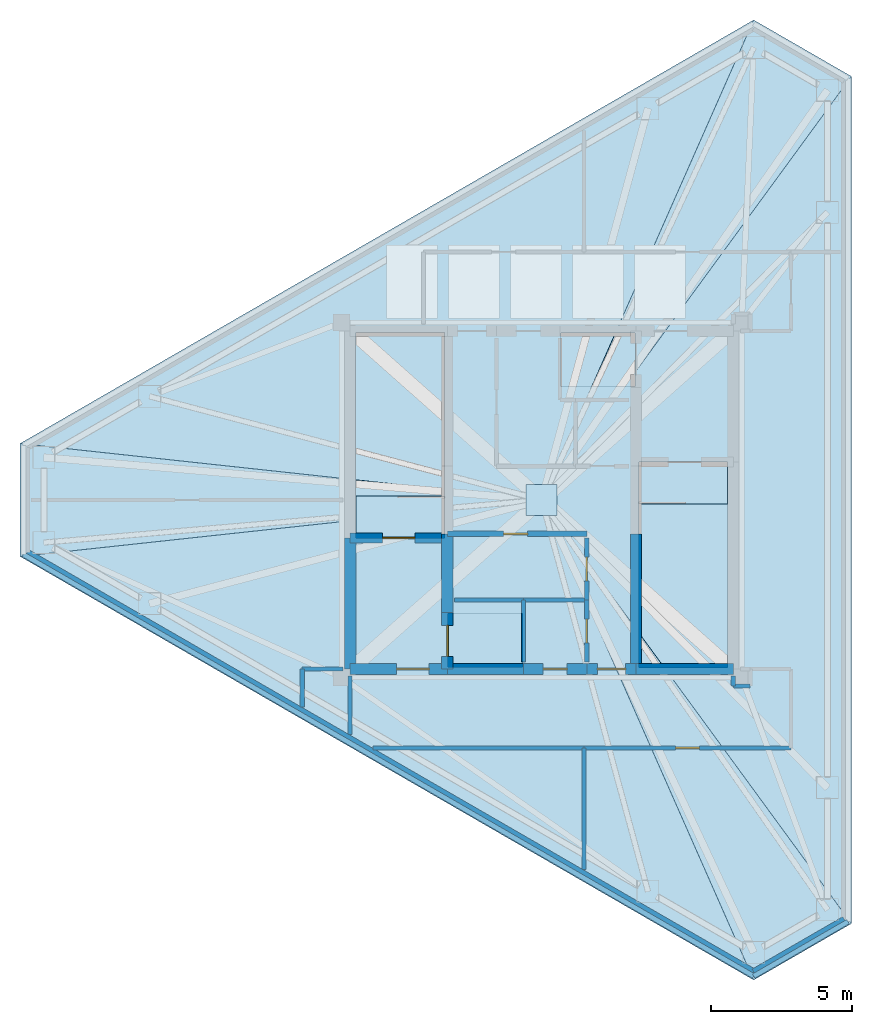
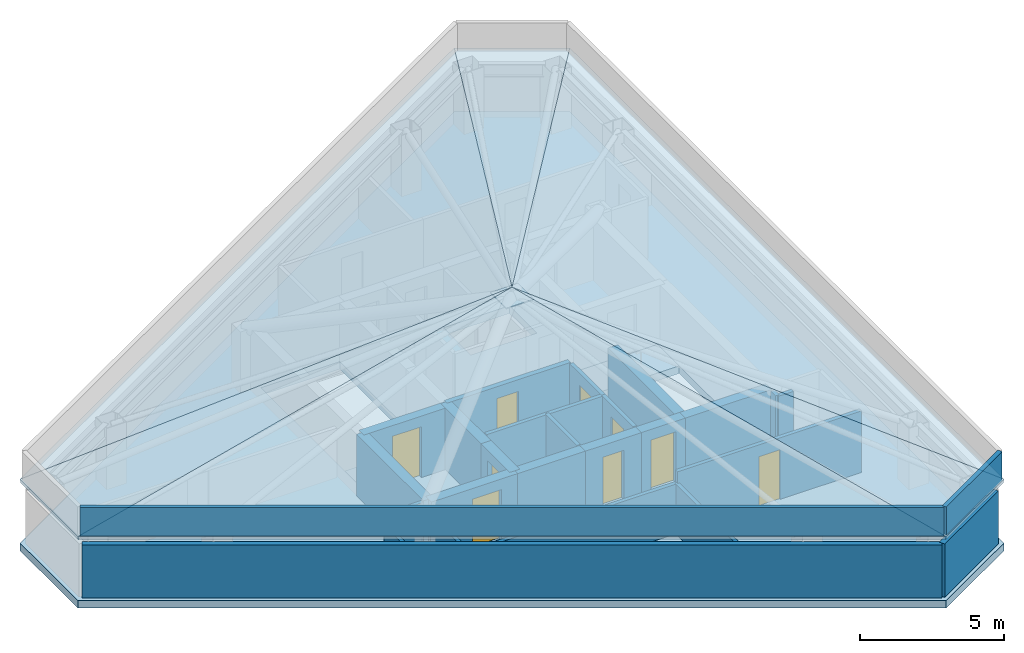
# One storey, part 2 of 5: 28 walls, 9 doors, 9 slabs, 1 plate, 9 openings.
"""IFC4 building model written with IfcOpenShell, lengths in metres."""

from ifc_helpers import new_model, si_unit, direction, frame, frame_2d, origin, origin_2d, place, context, subcontext, project, spatial, polyline, rectangle, outline, extrude, material, layer, layer_set, type_object, element, fill, save


model = new_model("IFC4")

# Units and contexts
model_context = context("Model", 3, precision=1e-05, world=origin(), true_north=direction((0.0, 1.0)))
body_context = subcontext(model_context, "Body", "Model", "MODEL_VIEW")
ifc_project = project(units=[si_unit("LENGTHUNIT", "METRE"), si_unit("AREAUNIT", "SQUARE_METRE"), si_unit("VOLUMEUNIT", "CUBIC_METRE"), si_unit("PLANEANGLEUNIT", "RADIAN"), si_unit("MASSUNIT", "GRAM", prefix="KILO")], contexts=[model_context])

# Site, building, storey
site_placement = place(None, origin())
site = spatial("IfcSite", under=ifc_project, at=site_placement, CompositionType="ELEMENT")
building_placement = place(site_placement, origin())
building = spatial("IfcBuilding", under=site, at=building_placement, Name="Mersakhor Tower and Convention Hall", CompositionType="ELEMENT")
storey_placement = place(building_placement, frame((0.0, 0.0, 264.0)))
storey = spatial("IfcBuildingStorey", under=building, at=storey_placement, Name="L73", CompositionType="ELEMENT", Elevation=264.0)

# Plate
ifc_material_1 = material(Name="Steel S460", Category="steel")
ifc_layer_1 = layer(ifc_material_1, 0.0400390625)
ifc_layer_set_1 = layer_set([ifc_layer_1], Name="Steel S460")
plate_type = type_object("IfcPlateType", Name="PL-GUSSET-40", PredefinedType="SHEET", material=ifc_layer_set_1)
plate_placement = place(storey_placement, frame((29.0, 26.75, 5.14990234375), z_axis=(0.0, 0.0, 1.0), x_axis=(1.0, 0.0, 0.0)))
element("IfcPlate", 1, at=plate_placement, inside=storey, type_object=plate_type, Name="Crown Apex Ring Cap Plate ND-APX", PredefinedType="SHEET", context=body_context, shape_type="SweptSolid", body=[
    extrude(rectangle(XDim=1.10009765625, YDim=1.10009765625, at=origin_2d()), origin(), (0.0, 0.0, 1.0), 0.0400390625),
])

# Slabs
ifc_material_2 = material(Name="Dark solar laminated glass on steel deck S355", Category="steel")
ifc_layer_2 = layer(ifc_material_2, 0.159912109375)
ifc_layer_set_2 = layer_set([ifc_layer_2], Name="Dark solar laminated glass on steel deck S355")
slab_type_1 = type_object("IfcSlabType", Name="SL-CRWN-160", PredefinedType="ROOF", material=ifc_layer_set_2)
slab_1_placement = place(storey_placement, frame((10.48193359375, 28.751953125, 2.699951171875), z_axis=(-0.125486106922, 0.217347202113, 0.967994540637), x_axis=(0.982768185281, -0.10624520922, 0.151256899077)))
element("IfcSlab", 2, at=slab_1_placement, inside=storey, type_object=slab_type_1, Name="Closed Glass-Point Crown Roof Facet RF-1", PredefinedType="ROOF", context=body_context, shape_type="SweptSolid", body=[
    extrude(outline(polyline([(0.0, 0.0), (18.84276137913825, 2.220446049250313e-16), (23.99692399487786, 18.124068704504808), (0.0, 0.0)])), origin(), (0.0, 0.0, -1.0), 0.159912109375),
])
slab_2_placement = place(storey_placement, frame((36.525146484375, 43.7880859375, 2.699951171875), z_axis=(0.076054216411, 0.131740742672, 0.988362348983), x_axis=(-0.399366724571, -0.904227524068, 0.151257409812)))
element("IfcSlab", 3, at=slab_2_placement, inside=storey, type_object=slab_type_1, Name="Closed Glass-Point Crown Roof Facet RF-2", PredefinedType="ROOF", context=body_context, shape_type="SweptSolid", body=[
    extrude(outline(polyline([(0.0, 0.0), (18.842697754703238, 3.7470027081099033e-16), (0.42530779823097364, 3.981505017614791), (0.0, 0.0)])), origin(), (0.0, 0.0, -1.0), 0.159912109375),
])
slab_3_placement = place(storey_placement, frame((39.992919921875, 41.7861328125, 2.699951171875), z_axis=(0.250968873481, 0.0, 0.967995157293), x_axis=(-0.583400362051, -0.797975914407, 0.15125626461)))
element("IfcSlab", 4, at=slab_3_placement, inside=storey, type_object=slab_type_1, Name="Closed Glass-Point Crown Roof Facet RF-3", PredefinedType="ROOF", context=body_context, shape_type="SweptSolid", body=[
    extrude(outline(polyline([(0.0, 0.0), (18.842840417889686, 5.551115123125783e-16), (23.996943660414413, 18.12423390876021), (0.0, 0.0)])), origin(), (0.0, 0.0, -1.0), 0.159912109375),
])
slab_4_placement = place(storey_placement, frame((39.992919921875, 11.7138671875, 2.699951171875), z_axis=(0.076054216411, -0.131740742672, 0.988362348983), x_axis=(-0.583400362051, 0.797975914407, 0.15125626461)))
element("IfcSlab", 5, at=slab_4_placement, inside=storey, type_object=slab_type_1, Name="Closed Glass-Point Crown Roof Facet RF-4", PredefinedType="ROOF", context=body_context, shape_type="SweptSolid", body=[
    extrude(outline(polyline([(0.0, 0.0), (18.842840417889686, 9.08995101411847e-16), (0.4255899034271722, 3.9814748727863005), (0.0, 0.0)])), origin(), (0.0, 0.0, -1.0), 0.159912109375),
])
slab_5_placement = place(storey_placement, frame((36.525146484375, 9.7119140625, 2.699951171875), z_axis=(-0.125486106922, -0.217347202113, 0.967994540637), x_axis=(-0.399366724571, 0.904227524068, 0.151257409812)))
element("IfcSlab", 6, at=slab_5_placement, inside=storey, type_object=slab_type_1, Name="Closed Glass-Point Crown Roof Facet RF-5", PredefinedType="ROOF", context=body_context, shape_type="SweptSolid", body=[
    extrude(outline(polyline([(0.0, 0.0), (18.842697754703238, -1.1102230246251565e-15), (23.99687777403806, 18.124129902410026), (0.0, 0.0)])), origin(), (0.0, 0.0, -1.0), 0.159912109375),
])
slab_6_placement = place(storey_placement, frame((10.48193359375, 24.748046875, 2.699951171875), z_axis=(-0.152117892474, 0.0, 0.988362356016), x_axis=(0.982768185281, 0.10624520922, 0.151256899077)))
element("IfcSlab", 7, at=slab_6_placement, inside=storey, type_object=slab_type_1, Name="Closed Glass-Point Crown Roof Facet RF-6", PredefinedType="ROOF", context=body_context, shape_type="SweptSolid", body=[
    extrude(outline(polyline([(0.0, 0.0), (18.84276137913825, 2.7755575615628914e-17), (0.42539585722658657, 3.981243979391808), (0.0, 0.0)])), origin(), (0.0, 0.0, -1.0), 0.159912109375),
])
ifc_material_3 = material(Name="Concrete C45/55", Category="concrete")
ifc_layer_3 = layer(ifc_material_3, 0.320068359375)
ifc_layer_set_3 = layer_set([ifc_layer_3], Name="Concrete C45/55")
slab_type_2 = type_object("IfcSlabType", Name="SL-FLR-320", PredefinedType="FLOOR", material=ifc_layer_set_3)
slab_7_placement = place(storey_placement, frame((0.0, 0.0, -0.320068359375)))
element("IfcSlab", 8, at=slab_7_placement, inside=storey, type_object=slab_type_2, Name="L73 ST-1 Structural Stair Floor Landing", PredefinedType="LANDING", context=body_context, shape_type="SweptSolid", body=[
    extrude(outline(polyline([(25.550048828125, 25.39990234375), (25.550048828125, 26.89990234375), (22.39990234375, 26.89990234375), (22.39990234375, 25.39990234375), (25.550048828125, 25.39990234375)])), origin(), (0.0, 0.0, 1.0), 0.320068359375),
])
slab_8_placement = place(storey_placement, frame((0.0, 0.0, -0.320068359375)))
element("IfcSlab", 9, at=slab_8_placement, inside=storey, type_object=slab_type_2, Name="L73 ST-2 Structural Stair Floor Landing", PredefinedType="LANDING", context=body_context, shape_type="SweptSolid", body=[
    extrude(outline(polyline([(32.449951171875, 28.10009765625), (32.449951171875, 26.60009765625), (35.60009765625, 26.60009765625), (35.60009765625, 28.10009765625), (32.449951171875, 28.10009765625)])), origin(), (0.0, 0.0, 1.0), 0.320068359375),
])
slab_9_placement = place(storey_placement, frame((0.0, 0.0, -0.320068359375)))
element("IfcSlab", 10, at=slab_9_placement, inside=storey, type_object=slab_type_2, Name="Tower L73 Structural Floor Slab", PredefinedType="FLOOR", context=body_context, shape_type="SweptSolid", body=[
    extrude(outline(polyline([(10.48193359375, 28.751953125), (36.525146484375, 43.7880859375), (39.992919921875, 41.7861328125), (39.992919921875, 11.7138671875), (36.525146484375, 9.7119140625), (10.48193359375, 24.748046875), (10.48193359375, 28.751953125)]), holes=[polyline([(25.550048828125, 25.39990234375), (25.550048828125, 32.699951171875), (22.39990234375, 32.699951171875), (22.39990234375, 25.39990234375), (25.550048828125, 25.39990234375)]), polyline([(32.449951171875, 28.10009765625), (32.449951171875, 20.800048828125), (35.60009765625, 20.800048828125), (35.60009765625, 28.10009765625), (32.449951171875, 28.10009765625)]), polyline([(25.679931640625, 20.820068359375), (25.679931640625, 22.719970703125), (28.320068359375, 22.719970703125), (28.320068359375, 20.820068359375), (25.679931640625, 20.820068359375)]), polyline([(29.679931640625, 30.780029296875), (29.679931640625, 32.679931640625), (32.320068359375, 32.679931640625), (32.320068359375, 30.780029296875), (29.679931640625, 30.780029296875)])]), origin(), (0.0, 0.0, 1.0), 0.320068359375),
])

# Walls
ifc_material_4 = material(Name="Precast concrete C40/50", Category="concrete")
ifc_layer_4 = layer(ifc_material_4, 0.22509765625)
ifc_layer_set_4 = layer_set([ifc_layer_4], Name="Precast concrete C40/50")
wall_type_1 = type_object("IfcWallType", Name="WL-EXT-225", PredefinedType="SOLIDWALL", material=ifc_layer_set_4)
wall_1_placement = place(storey_placement, frame((39.742919921875, 11.858154296875, 0.0), z_axis=(0.0, 0.0, 1.0), x_axis=(-0.866038962515, -0.499976514854, 0.0)))
element("IfcWall", 11, at=wall_1_placement, inside=storey, type_object=wall_type_1, Name="L73 Glass-Point Crown Eave Cladding Wall 4", PredefinedType="SOLIDWALL", context=body_context, shape_type="SweptSolid", body=[
    extrude(rectangle(XDim=3.715576171875, YDim=0.22509765625, at=frame_2d((1.85791015625, 0.0))), origin(), (0.0, 0.0, 1.0), 2.25),
])
wall_2_placement = place(storey_placement, frame((36.525146484375, 10.00048828125, 0.0), z_axis=(0.0, 0.0, 1.0), x_axis=(-0.866023553042, 0.500003205566, 0.0)))
element("IfcWall", 12, at=wall_2_placement, inside=storey, type_object=wall_type_1, Name="L73 Glass-Point Crown Eave Cladding Wall 5", PredefinedType="SOLIDWALL", context=body_context, shape_type="SweptSolid", body=[
    extrude(rectangle(XDim=29.783447265625, YDim=0.22509765625, at=frame_2d((14.8916015625, 0.0))), origin(), (0.0, 0.0, 1.0), 2.25),
])
ifc_material_5 = material(Name="Precast concrete C40/50", Category="concrete")
ifc_layer_5 = layer(ifc_material_5, 0.175048828125)
ifc_layer_set_5 = layer_set([ifc_layer_5], Name="Precast concrete C40/50")
wall_type_2 = type_object("IfcWallType", Name="WL-PAR-175", PredefinedType="PARAPET", material=ifc_layer_set_5)
wall_3_placement = place(storey_placement, frame((39.872802734375, 11.783203125, 2.699951171875), z_axis=(0.0, 0.0, 1.0), x_axis=(-0.866042548026, -0.499970304126, 0.0)))
element("IfcWall", 13, at=wall_3_placement, inside=storey, type_object=wall_type_2, Name="L73 Crown Eave Perimeter Parapet 4", PredefinedType="PARAPET", context=body_context, shape_type="SweptSolid", body=[
    extrude(rectangle(XDim=3.865478515625, YDim=0.175048828125, at=frame_2d((1.9326171875, 0.0))), origin(), (0.0, 0.0, 1.0), 1.199951171875),
])
wall_4_placement = place(storey_placement, frame((36.525146484375, 9.8505859375, 2.699951171875), z_axis=(0.0, 0.0, 1.0), x_axis=(-0.866024093284, 0.500002269847, 0.0)))
element("IfcWall", 14, at=wall_4_placement, inside=storey, type_object=wall_type_2, Name="L73 Crown Eave Perimeter Parapet 5", PredefinedType="PARAPET", context=body_context, shape_type="SweptSolid", body=[
    extrude(rectangle(XDim=29.933349609375, YDim=0.175048828125, at=frame_2d((14.966796875, 0.0))), origin(), (0.0, 0.0, 1.0), 1.199951171875),
])
ifc_material_6 = material(Name="Fire-rated gypsum board stud partition", Category="other")
ifc_layer_6 = layer(ifc_material_6, 0.14990234375)
ifc_layer_set_6 = layer_set([ifc_layer_6], Name="Fire-rated gypsum board stud partition")
wall_type_3 = type_object("IfcWallType", Name="WL-PRT-150", PredefinedType="PARTITIONING", material=ifc_layer_set_6)
wall_5_placement = place(storey_placement, frame((25.89990234375, 23.199951171875, 0.0), z_axis=(0.0, 0.0, 1.0), x_axis=(1.0, 0.0, 0.0)))
element("IfcWall", 15, at=wall_5_placement, inside=storey, type_object=wall_type_3, Name="L73 Interior Partition Wall P-001", PredefinedType="PARTITIONING", context=body_context, shape_type="SweptSolid", body=[
    extrude(rectangle(XDim=2.4501953125, YDim=0.14990234375, at=frame_2d((1.22509765625, 0.0))), origin(), (0.0, 0.0, 1.0), 2.60009765625),
])
wall_6_placement = place(storey_placement, frame((28.35009765625, 23.199951171875, 0.0), z_axis=(0.0, 0.0, 1.0), x_axis=(0.0, -1.0, 0.0)))
element("IfcWall", 16, at=wall_6_placement, inside=storey, type_object=wall_type_3, Name="L73 Interior Partition Wall P-002", PredefinedType="PARTITIONING", context=body_context, shape_type="SweptSolid", body=[
    extrude(rectangle(XDim=2.199951171875, YDim=0.14990234375, at=frame_2d((1.10009765625, 0.0))), origin(), (0.0, 0.0, 1.0), 2.60009765625),
])

# Wall, opening, door
wall_7_placement = place(storey_placement, frame((30.60009765625, 21.0, 0.0), z_axis=(0.0, 0.0, 1.0), x_axis=(0.0, 1.0, 0.0)))
wall_7 = element("IfcWall", 17, at=wall_7_placement, inside=storey, type_object=wall_type_3, Name="L73 Interior Partition Wall P-006", PredefinedType="PARTITIONING", context=body_context, shape_type="SweptSolid", body=[
    extrude(rectangle(XDim=2.199951171875, YDim=0.14990234375, at=frame_2d((1.10009765625, 0.0))), origin(), (0.0, 0.0, 1.0), 2.60009765625),
])
opening_1_placement = place(wall_7_placement, frame((0.675048828125, 0.0, 0.0)))
opening_1 = element("IfcOpeningElement", 18, at=opening_1_placement, cuts=wall_7, Name="Opening SVD-01", PredefinedType="OPENING", context=body_context, shape_type="SweptSolid", body=[
    extrude(rectangle(XDim=0.85009765625, YDim=2.10009765625, at=frame_2d((0.425048828125, 1.050048828125))), frame((0.0, 0.0849609375, 0.0), z_axis=(0.0, -1.0, 0.0), x_axis=(1.0, 0.0, 0.0)), (0.0, 0.0, 1.0), 0.169921875),
])
ifc_material_7 = material(Name="Fire-rated hardwood leaf and painted steel frame", Category="steel")
door_type_1 = type_object("IfcDoorType", Name="DR-INT-SVC-085x210", OperationType="NOTDEFINED", PredefinedType="DOOR", material=ifc_material_7)
door_1_placement = place(opening_1_placement, origin())
door_1 = element("IfcDoor", 19, at=door_1_placement, inside=storey, type_object=door_type_1, Name="L73 Central Passenger Lift Lobby to Core Electrical Distribution Plant Room Door", OperationType="SINGLE_SWING_RIGHT", OverallHeight=2.10009765625, OverallWidth=0.85009765625, PredefinedType="DOOR", context=body_context, shape_type="SweptSolid", body=[
    extrude(rectangle(XDim=0.85009765625, YDim=2.10009765625, at=frame_2d((0.425048828125, 1.050048828125))), frame((0.0, 0.02490234375, 0.0), z_axis=(0.0, -1.0, 0.0), x_axis=(1.0, 0.0, 0.0)), (0.0, 0.0, 1.0), 0.050048828125),
])
fill(opening_1, door_1)

wall_8_placement = place(storey_placement, frame((30.60009765625, 23.199951171875, 0.0), z_axis=(0.0, 0.0, 1.0), x_axis=(0.0, 1.0, 0.0)))
wall_8 = element("IfcWall", 20, at=wall_8_placement, inside=storey, type_object=wall_type_3, Name="L73 Interior Partition Wall P-007", PredefinedType="PARTITIONING", context=body_context, shape_type="SweptSolid", body=[
    extrude(rectangle(XDim=2.199951171875, YDim=0.14990234375, at=frame_2d((1.10009765625, 0.0))), origin(), (0.0, 0.0, 1.0), 2.60009765625),
])
opening_2_placement = place(wall_8_placement, frame((0.675048828125, 0.0, 0.0)))
opening_2 = element("IfcOpeningElement", 21, at=opening_2_placement, cuts=wall_8, Name="Opening SVD-01", PredefinedType="OPENING", context=body_context, shape_type="SweptSolid", body=[
    extrude(rectangle(XDim=0.85009765625, YDim=2.10009765625, at=frame_2d((0.425048828125, 1.050048828125))), frame((0.0, 0.0849609375, 0.0), z_axis=(0.0, -1.0, 0.0), x_axis=(1.0, 0.0, 0.0)), (0.0, 0.0, 1.0), 0.169921875),
])
door_2_placement = place(opening_2_placement, origin())
door_2 = element("IfcDoor", 22, at=door_2_placement, inside=storey, type_object=door_type_1, Name="L73 Central Passenger Lift Lobby to High-Rise Lift Overrun Plant Room Door", OperationType="SINGLE_SWING_LEFT", OverallHeight=2.10009765625, OverallWidth=0.85009765625, PredefinedType="DOOR", context=body_context, shape_type="SweptSolid", body=[
    extrude(rectangle(XDim=0.85009765625, YDim=2.10009765625, at=frame_2d((0.425048828125, 1.050048828125))), frame((0.0, 0.02490234375, 0.0), z_axis=(0.0, -1.0, 0.0), x_axis=(1.0, 0.0, 0.0)), (0.0, 0.0, 1.0), 0.050048828125),
])
fill(opening_2, door_2)

# Walls
wall_9_placement = place(storey_placement, frame((35.800048828125, 20.5, 0.0), z_axis=(0.0, 0.0, 1.0), x_axis=(0.0, -1.0, 0.0)))
element("IfcWall", 23, at=wall_9_placement, inside=storey, type_object=wall_type_3, Name="L73 Interior Partition Wall P-019", PredefinedType="PARTITIONING", context=body_context, shape_type="SweptSolid", body=[
    extrude(rectangle(XDim=0.35009765625, YDim=0.14990234375, at=frame_2d((0.175048828125, 0.0))), origin(), (0.0, 0.0, 1.0), 2.60009765625),
])
wall_10_placement = place(storey_placement, frame((35.800048828125, 20.14990234375, 0.0), z_axis=(0.0, 0.0, 1.0), x_axis=(1.0, 0.0, 0.0)))
element("IfcWall", 24, at=wall_10_placement, inside=storey, type_object=wall_type_3, Name="L73 Interior Partition Wall P-020", PredefinedType="PARTITIONING", context=body_context, shape_type="SweptSolid", body=[
    extrude(rectangle(XDim=0.599853515625, YDim=0.14990234375, at=frame_2d((0.2998046875, 0.0))), origin(), (0.0, 0.0, 1.0), 2.60009765625),
])

# Wall, opening, door
wall_11_placement = place(storey_placement, frame((37.85009765625, 17.949951171875, 0.0), z_axis=(0.0, 0.0, 1.0), x_axis=(-1.0, 0.0, 0.0)))
wall_11 = element("IfcWall", 25, at=wall_11_placement, inside=storey, type_object=wall_type_3, Name="L73 Interior Partition Wall P-024", PredefinedType="PARTITIONING", context=body_context, shape_type="SweptSolid", body=[
    extrude(rectangle(XDim=7.35009765625, YDim=0.14990234375, at=frame_2d((3.675048828125, 0.0))), origin(), (0.0, 0.0, 1.0), 2.60009765625),
])
opening_3_placement = place(wall_11_placement, frame((3.25, 0.0, 0.0)))
opening_3 = element("IfcOpeningElement", 26, at=opening_3_placement, cuts=wall_11, Name="Opening SVD-01", PredefinedType="OPENING", context=body_context, shape_type="SweptSolid", body=[
    extrude(rectangle(XDim=0.85009765625, YDim=2.10009765625, at=frame_2d((0.425048828125, 1.050048828125))), frame((0.0, 0.0849609375, 0.0), z_axis=(0.0, -1.0, 0.0), x_axis=(1.0, 0.0, 0.0)), (0.0, 0.0, 1.0), 0.169921875),
])
door_3_placement = place(opening_3_placement, origin())
door_3 = element("IfcDoor", 27, at=door_3_placement, inside=storey, type_object=door_type_1, Name="L73 L73 South Mechanical Plant Corridor to Solar Thermal Water Tank Plant Room Door", OperationType="SINGLE_SWING_RIGHT", OverallHeight=2.10009765625, OverallWidth=0.85009765625, PredefinedType="DOOR", context=body_context, shape_type="SweptSolid", body=[
    extrude(rectangle(XDim=0.85009765625, YDim=2.10009765625, at=frame_2d((0.425048828125, 1.050048828125))), frame((0.0, 0.02490234375, 0.0), z_axis=(0.0, -1.0, 0.0), x_axis=(1.0, 0.0, 0.0)), (0.0, 0.0, 1.0), 0.050048828125),
])
fill(opening_3, door_3)

# Walls
wall_12_placement = place(storey_placement, frame((30.5, 17.949951171875, 0.0), z_axis=(0.0, 0.0, 1.0), x_axis=(-1.0, 0.0, 0.0)))
element("IfcWall", 28, at=wall_12_placement, inside=storey, type_object=wall_type_3, Name="L73 Interior Partition Wall P-025", PredefinedType="PARTITIONING", context=body_context, shape_type="SweptSolid", body=[
    extrude(rectangle(XDim=7.495361328125, YDim=0.14990234375, at=frame_2d((3.74755859375, 0.0))), origin(), (0.0, 0.0, 1.0), 2.10498046875),
])
wall_13_placement = place(storey_placement, frame((22.199951171875, 18.428955078125, 0.0), z_axis=(0.0, 0.0, 1.0), x_axis=(0.0, 1.0, 0.0)))
element("IfcWall", 29, at=wall_13_placement, inside=storey, type_object=wall_type_3, Name="L73 Interior Partition Wall P-026", PredefinedType="PARTITIONING", context=body_context, shape_type="SweptSolid", body=[
    extrude(rectangle(XDim=2.071044921875, YDim=0.14990234375, at=frame_2d((1.03564453125, 0.0))), origin(), (0.0, 0.0, 1.0), 2.10498046875),
])
wall_14_placement = place(storey_placement, frame((30.60009765625, 23.199951171875, 0.0), z_axis=(0.0, 0.0, 1.0), x_axis=(-1.0, 0.0, 0.0)))
element("IfcWall", 30, at=wall_14_placement, inside=storey, type_object=wall_type_3, Name="L73 Interior Partition Wall P-027", PredefinedType="PARTITIONING", context=body_context, shape_type="SweptSolid", body=[
    extrude(rectangle(XDim=2.25, YDim=0.14990234375, at=frame_2d((1.125, 0.0))), origin(), (0.0, 0.0, 1.0), 2.60009765625),
])
wall_15_placement = place(storey_placement, frame((20.5, 20.75, 0.0), z_axis=(0.0, 0.0, 1.0), x_axis=(0.0, -1.0, 0.0)))
element("IfcWall", 31, at=wall_15_placement, inside=storey, type_object=wall_type_3, Name="L73 Interior Partition Wall P-032", PredefinedType="PARTITIONING", context=body_context, shape_type="SweptSolid", body=[
    extrude(rectangle(XDim=1.339599609375, YDim=0.14990234375, at=frame_2d((0.669921875, 0.0))), origin(), (0.0, 0.0, 1.0), 2.10498046875),
])
wall_16_placement = place(storey_placement, frame((21.949951171875, 20.75, 0.0), z_axis=(0.0, 0.0, 1.0), x_axis=(-1.0, 0.0, 0.0)))
element("IfcWall", 32, at=wall_16_placement, inside=storey, type_object=wall_type_3, Name="L73 Interior Partition Wall P-033", PredefinedType="PARTITIONING", context=body_context, shape_type="SweptSolid", body=[
    extrude(rectangle(XDim=1.449951171875, YDim=0.14990234375, at=frame_2d((0.72509765625, 0.0))), origin(), (0.0, 0.0, 1.0), 2.60009765625),
])
wall_17_placement = place(storey_placement, frame((30.5, 13.636962890625, 0.0), z_axis=(0.0, 0.0, 1.0), x_axis=(0.0, 1.0, 0.0)))
element("IfcWall", 33, at=wall_17_placement, inside=storey, type_object=wall_type_3, Name="L73 Interior Partition Wall P-034", PredefinedType="PARTITIONING", context=body_context, shape_type="SweptSolid", body=[
    extrude(rectangle(XDim=4.31298828125, YDim=0.14990234375, at=frame_2d((2.156494140625, 0.0))), origin(), (0.0, 0.0, 1.0), 2.10498046875),
])

# Wall, opening, door
ifc_material_8 = material(Name="Acoustic concrete blockwork and gypsum board", Category="masonry")
ifc_layer_7 = layer(ifc_material_8, 0.199951171875)
ifc_layer_set_7 = layer_set([ifc_layer_7], Name="Acoustic concrete blockwork and gypsum board")
wall_type_4 = type_object("IfcWallType", Name="WL-PRT-200", PredefinedType="PARTITIONING", material=ifc_layer_set_7)
wall_18_placement = place(storey_placement, frame((25.64990234375, 25.550048828125, 0.0), z_axis=(0.0, 0.0, 1.0), x_axis=(1.0, 0.0, 0.0)))
wall_18 = element("IfcWall", 34, at=wall_18_placement, inside=storey, type_object=wall_type_4, Name="L73 High-Rise Lift Bank Front Wall", PredefinedType="PARTITIONING", context=body_context, shape_type="SweptSolid", body=[
    extrude(rectangle(XDim=4.9501953125, YDim=0.199951171875, at=frame_2d((2.47509765625, 0.0))), origin(), (0.0, 0.0, 1.0), 2.60009765625),
])
opening_4_placement = place(wall_18_placement, frame((2.0, 0.0, 0.0)))
opening_4 = element("IfcOpeningElement", 35, at=opening_4_placement, cuts=wall_18, Name="Opening SVD-01", PredefinedType="OPENING", context=body_context, shape_type="SweptSolid", body=[
    extrude(rectangle(XDim=0.85009765625, YDim=2.10009765625, at=frame_2d((0.425048828125, 1.050048828125))), frame((0.0, 0.10986328125, 0.0), z_axis=(0.0, -1.0, 0.0), x_axis=(1.0, 0.0, 0.0)), (0.0, 0.0, 1.0), 0.219970703125),
])
door_4_placement = place(opening_4_placement, origin())
door_4 = element("IfcDoor", 36, at=door_4_placement, inside=storey, type_object=door_type_1, Name="L73 Overrun Motor Room Access Door", OperationType="SINGLE_SWING_RIGHT", OverallHeight=2.10009765625, OverallWidth=0.85009765625, PredefinedType="DOOR", context=body_context, shape_type="SweptSolid", body=[
    extrude(rectangle(XDim=0.85009765625, YDim=2.10009765625, at=frame_2d((0.425048828125, 1.050048828125))), frame((0.0, 0.02490234375, 0.0), z_axis=(0.0, -1.0, 0.0), x_axis=(1.0, 0.0, 0.0)), (0.0, 0.0, 1.0), 0.050048828125),
])
fill(opening_4, door_4)

ifc_material_9 = material(Name="Concrete C50/60", Category="concrete")
ifc_layer_8 = layer(ifc_material_9, 0.35009765625)
ifc_layer_set_8 = layer_set([ifc_layer_8], Name="Concrete C50/60")
wall_type_5 = type_object("IfcWallType", Name="WL-SHR-350", PredefinedType="SHEAR", material=ifc_layer_set_8)
wall_19_placement = place(storey_placement, frame((22.199951171875, 25.39990234375, 0.0), z_axis=(0.0, 0.0, 1.0), x_axis=(1.0, 0.0, 0.0)))
wall_19 = element("IfcWall", 37, at=wall_19_placement, inside=storey, type_object=wall_type_5, Name="L73 Core Wall CS-ST1-S", PredefinedType="SHEAR", context=body_context, shape_type="SweptSolid", body=[
    extrude(rectangle(XDim=3.449951171875, YDim=0.35009765625, at=frame_2d((1.72509765625, 0.0))), origin(), (0.0, 0.0, 1.0), 2.60009765625),
])
opening_5_placement = place(wall_19_placement, frame((1.14990234375, 0.0, 0.0)))
opening_5 = element("IfcOpeningElement", 38, at=opening_5_placement, cuts=wall_19, Name="Opening SD-01", PredefinedType="OPENING", context=body_context, shape_type="SweptSolid", body=[
    extrude(rectangle(XDim=1.14990234375, YDim=2.14990234375, at=frame_2d((0.574951171875, 1.074951171875))), frame((0.0, 0.18505859375, 0.0), z_axis=(0.0, -1.0, 0.0), x_axis=(1.0, 0.0, 0.0)), (0.0, 0.0, 1.0), 0.3701171875),
])
ifc_material_10 = material(Name="Fire-rated hardwood leaf and painted steel frame", Category="steel")
door_type_2 = type_object("IfcDoorType", Name="DR-INT-STAIR-115x215", OperationType="NOTDEFINED", PredefinedType="DOOR", material=ifc_material_10)
door_5_placement = place(opening_5_placement, origin())
door_5 = element("IfcDoor", 39, at=door_5_placement, inside=storey, type_object=door_type_2, Name="L73 Exit Stair ST-1 Enclosure Door", OperationType="SINGLE_SWING_LEFT", OverallHeight=2.14990234375, OverallWidth=1.14990234375, PredefinedType="DOOR", context=body_context, shape_type="SweptSolid", body=[
    extrude(rectangle(XDim=1.14990234375, YDim=2.14990234375, at=frame_2d((0.574951171875, 1.074951171875))), frame((0.0, 0.02490234375, 0.0), z_axis=(0.0, -1.0, 0.0), x_axis=(1.0, 0.0, 0.0)), (0.0, 0.0, 1.0), 0.050048828125),
])
fill(opening_5, door_5)

# Walls
ifc_material_11 = material(Name="Concrete C60/75", Category="concrete")
ifc_layer_9 = layer(ifc_material_11, 0.39990234375)
ifc_layer_set_9 = layer_set([ifc_layer_9], Name="Concrete C60/75")
wall_type_6 = type_object("IfcWallType", Name="WL-SHR-400", PredefinedType="SHEAR", material=ifc_layer_set_9)
wall_20_placement = place(storey_placement, frame((22.199951171875, 20.75, 0.0), z_axis=(0.0, 0.0, 1.0), x_axis=(0.0, 1.0, 0.0)))
element("IfcWall", 40, at=wall_20_placement, inside=storey, type_object=wall_type_6, Name="L73 Core Wall CW-W1", PredefinedType="SHEAR", context=body_context, shape_type="SweptSolid", body=[
    extrude(rectangle(XDim=4.64990234375, YDim=0.39990234375, at=frame_2d((2.324951171875, 0.0))), origin(), (0.0, 0.0, 1.0), 2.60009765625),
])
wall_21_placement = place(storey_placement, frame((35.800048828125, 20.75, 0.0), z_axis=(0.0, 0.0, 1.0), x_axis=(-1.0, 0.0, 0.0)))
element("IfcWall", 41, at=wall_21_placement, inside=storey, type_object=wall_type_6, Name="L73 Core Wall CW-S1", PredefinedType="SHEAR", context=body_context, shape_type="SweptSolid", body=[
    extrude(rectangle(XDim=3.449951171875, YDim=0.39990234375, at=frame_2d((1.72509765625, 0.0))), origin(), (0.0, 0.0, 1.0), 2.60009765625),
])

# Wall, opening, door
wall_22_placement = place(storey_placement, frame((32.35009765625, 20.75, 0.0), z_axis=(0.0, 0.0, 1.0), x_axis=(-1.0, 0.0, 0.0)))
wall_22 = element("IfcWall", 42, at=wall_22_placement, inside=storey, type_object=wall_type_6, Name="L73 Core Wall CW-S2A", PredefinedType="SHEAR", context=body_context, shape_type="SweptSolid", body=[
    extrude(rectangle(XDim=1.75, YDim=0.39990234375, at=frame_2d((0.875, 0.0))), origin(), (0.0, 0.0, 1.0), 2.60009765625),
])
opening_6_placement = place(wall_22_placement, frame((0.375, 0.0, 0.0)))
opening_6 = element("IfcOpeningElement", 43, at=opening_6_placement, cuts=wall_22, Name="Opening CFD-01", PredefinedType="OPENING", context=body_context, shape_type="SweptSolid", body=[
    extrude(rectangle(XDim=1.0, YDim=2.14990234375, at=frame_2d((0.5, 1.074951171875))), frame((0.0, 0.2099609375, 0.0), z_axis=(0.0, -1.0, 0.0), x_axis=(1.0, 0.0, 0.0)), (0.0, 0.0, 1.0), 0.419921875),
])
ifc_material_12 = material(Name="Fire-rated hardwood leaf and painted steel frame", Category="steel")
door_type_3 = type_object("IfcDoorType", Name="DR-CORE-FD-100x215", OperationType="NOTDEFINED", PredefinedType="DOOR", material=ifc_material_12)
door_6_placement = place(opening_6_placement, origin())
door_6 = element("IfcDoor", 44, at=door_6_placement, inside=storey, type_object=door_type_3, Name="L73 Lift Lobby South Corridor Door", OperationType="SINGLE_SWING_RIGHT", OverallHeight=2.14990234375, OverallWidth=1.0, PredefinedType="DOOR", context=body_context, shape_type="SweptSolid", body=[
    extrude(rectangle(XDim=1.0, YDim=2.14990234375, at=frame_2d((0.5, 1.074951171875))), frame((0.0, 0.02490234375, 0.0), z_axis=(0.0, -1.0, 0.0), x_axis=(1.0, 0.0, 0.0)), (0.0, 0.0, 1.0), 0.050048828125),
])
fill(opening_6, door_6)

wall_23_placement = place(storey_placement, frame((30.60009765625, 20.75, 0.0), z_axis=(0.0, 0.0, 1.0), x_axis=(-1.0, 0.0, 0.0)))
wall_23 = element("IfcWall", 45, at=wall_23_placement, inside=storey, type_object=wall_type_6, Name="L73 Core Wall CW-S2B", PredefinedType="SHEAR", context=body_context, shape_type="SweptSolid", body=[
    extrude(rectangle(XDim=2.25, YDim=0.39990234375, at=frame_2d((1.125, 0.0))), origin(), (0.0, 0.0, 1.0), 2.60009765625),
])
opening_7_placement = place(wall_23_placement, frame((0.699951171875, 0.0, 0.0)))
opening_7 = element("IfcOpeningElement", 46, at=opening_7_placement, cuts=wall_23, Name="Opening SVD-01", PredefinedType="OPENING", context=body_context, shape_type="SweptSolid", body=[
    extrude(rectangle(XDim=0.85009765625, YDim=2.10009765625, at=frame_2d((0.425048828125, 1.050048828125))), frame((0.0, 0.2099609375, 0.0), z_axis=(0.0, -1.0, 0.0), x_axis=(1.0, 0.0, 0.0)), (0.0, 0.0, 1.0), 0.419921875),
])
door_7_placement = place(opening_7_placement, origin())
door_7 = element("IfcDoor", 47, at=door_7_placement, inside=storey, type_object=door_type_1, Name="L73 L73 South Mechanical Plant Corridor to Core Electrical Distribution Plant Room Door", OperationType="SINGLE_SWING_LEFT", OverallHeight=2.10009765625, OverallWidth=0.85009765625, PredefinedType="DOOR", context=body_context, shape_type="SweptSolid", body=[
    extrude(rectangle(XDim=0.85009765625, YDim=2.10009765625, at=frame_2d((0.425048828125, 1.050048828125))), frame((0.0, 0.02490234375, 0.0), z_axis=(0.0, -1.0, 0.0), x_axis=(1.0, 0.0, 0.0)), (0.0, 0.0, 1.0), 0.050048828125),
])
fill(opening_7, door_7)

# Wall
wall_24_placement = place(storey_placement, frame((28.35009765625, 20.75, 0.0), z_axis=(0.0, 0.0, 1.0), x_axis=(-1.0, 0.0, 0.0)))
element("IfcWall", 48, at=wall_24_placement, inside=storey, type_object=wall_type_6, Name="L73 Core Wall CW-S3", PredefinedType="SHEAR", context=body_context, shape_type="SweptSolid", body=[
    extrude(rectangle(XDim=2.7001953125, YDim=0.39990234375, at=frame_2d((1.35009765625, 0.0))), origin(), (0.0, 0.0, 1.0), 2.60009765625),
])

# Wall, opening, door
wall_25_placement = place(storey_placement, frame((25.64990234375, 20.75, 0.0), z_axis=(0.0, 0.0, 1.0), x_axis=(-1.0, 0.0, 0.0)))
wall_25 = element("IfcWall", 49, at=wall_25_placement, inside=storey, type_object=wall_type_6, Name="L73 Core Wall CW-S4", PredefinedType="SHEAR", context=body_context, shape_type="SweptSolid", body=[
    extrude(rectangle(XDim=3.449951171875, YDim=0.39990234375, at=frame_2d((1.72509765625, 0.0))), origin(), (0.0, 0.0, 1.0), 2.60009765625),
])
opening_8_placement = place(wall_25_placement, frame((0.64990234375, 0.0, 0.0)))
opening_8 = element("IfcOpeningElement", 50, at=opening_8_placement, cuts=wall_25, Name="Opening SD-01", PredefinedType="OPENING", context=body_context, shape_type="SweptSolid", body=[
    extrude(rectangle(XDim=1.14990234375, YDim=2.14990234375, at=frame_2d((0.574951171875, 1.074951171875))), frame((0.0, 0.2099609375, 0.0), z_axis=(0.0, -1.0, 0.0), x_axis=(1.0, 0.0, 0.0)), (0.0, 0.0, 1.0), 0.419921875),
])
door_8_placement = place(opening_8_placement, origin())
door_8 = element("IfcDoor", 51, at=door_8_placement, inside=storey, type_object=door_type_2, Name="L73 Firefighting Lobby West Fire Door", OperationType="SINGLE_SWING_LEFT", OverallHeight=2.14990234375, OverallWidth=1.14990234375, PredefinedType="DOOR", context=body_context, shape_type="SweptSolid", body=[
    extrude(rectangle(XDim=1.14990234375, YDim=2.14990234375, at=frame_2d((0.574951171875, 1.074951171875))), frame((0.0, 0.02490234375, 0.0), z_axis=(0.0, -1.0, 0.0), x_axis=(1.0, 0.0, 0.0)), (0.0, 0.0, 1.0), 0.050048828125),
])
fill(opening_8, door_8)

wall_26_placement = place(storey_placement, frame((25.64990234375, 20.75, 0.0), z_axis=(0.0, 0.0, 1.0), x_axis=(0.0, 1.0, 0.0)))
wall_26 = element("IfcWall", 52, at=wall_26_placement, inside=storey, type_object=wall_type_6, Name="L73 Core Wall CS-W-FFL", PredefinedType="SHEAR", context=body_context, shape_type="SweptSolid", body=[
    extrude(rectangle(XDim=2.0, YDim=0.39990234375, at=frame_2d((1.0, 0.0))), origin(), (0.0, 0.0, 1.0), 2.60009765625),
])
opening_9_placement = place(wall_26_placement, frame((0.449951171875, 0.0, 0.0)))
opening_9 = element("IfcOpeningElement", 53, at=opening_9_placement, cuts=wall_26, Name="Opening LD-FFL1", PredefinedType="OPENING", context=body_context, shape_type="SweptSolid", body=[
    extrude(rectangle(XDim=1.10009765625, YDim=2.14990234375, at=frame_2d((0.550048828125, 1.074951171875))), frame((0.0, 0.2099609375, 0.0), z_axis=(0.0, -1.0, 0.0), x_axis=(1.0, 0.0, 0.0)), (0.0, 0.0, 1.0), 0.419921875),
])
ifc_material_13 = material(Name="Fire-rated brushed stainless steel sliding landing door", Category="steel")
door_type_4 = type_object("IfcDoorType", Name="DR-LIFT-SLD-110x215", OperationType="NOTDEFINED", PredefinedType="DOOR", material=ifc_material_13)
door_9_placement = place(opening_9_placement, origin())
door_9 = element("IfcDoor", 54, at=door_9_placement, inside=storey, type_object=door_type_4, Name="L73 Firefighting Lift Landing Door LD-FFL1", OperationType="SLIDING_TO_LEFT", OverallHeight=2.14990234375, OverallWidth=1.10009765625, PredefinedType="DOOR", context=body_context, shape_type="SweptSolid", body=[
    extrude(rectangle(XDim=1.10009765625, YDim=2.14990234375, at=frame_2d((0.550048828125, 1.074951171875))), frame((0.0, 0.02490234375, 0.0), z_axis=(0.0, -1.0, 0.0), x_axis=(1.0, 0.0, 0.0)), (0.0, 0.0, 1.0), 0.050048828125),
])
fill(opening_9, door_9)

# Walls
wall_27_placement = place(storey_placement, frame((25.64990234375, 22.75, 0.0), z_axis=(0.0, 0.0, 1.0), x_axis=(0.0, 1.0, 0.0)))
element("IfcWall", 55, at=wall_27_placement, inside=storey, type_object=wall_type_6, Name="L73 Core Wall CS-W-MID", PredefinedType="SHEAR", context=body_context, shape_type="SweptSolid", body=[
    extrude(rectangle(XDim=2.800048828125, YDim=0.39990234375, at=frame_2d((1.39990234375, 0.0))), origin(), (0.0, 0.0, 1.0), 2.60009765625),
])
wall_28_placement = place(storey_placement, frame((32.35009765625, 20.75, 0.0), z_axis=(0.0, 0.0, 1.0), x_axis=(0.0, 1.0, 0.0)))
element("IfcWall", 56, at=wall_28_placement, inside=storey, type_object=wall_type_6, Name="L73 Core Wall CS-E-ST2", PredefinedType="SHEAR", context=body_context, shape_type="SweptSolid", body=[
    extrude(rectangle(XDim=4.800048828125, YDim=0.39990234375, at=frame_2d((2.39990234375, 0.0))), origin(), (0.0, 0.0, 1.0), 2.60009765625),
])

save(model, "model.ifc")
